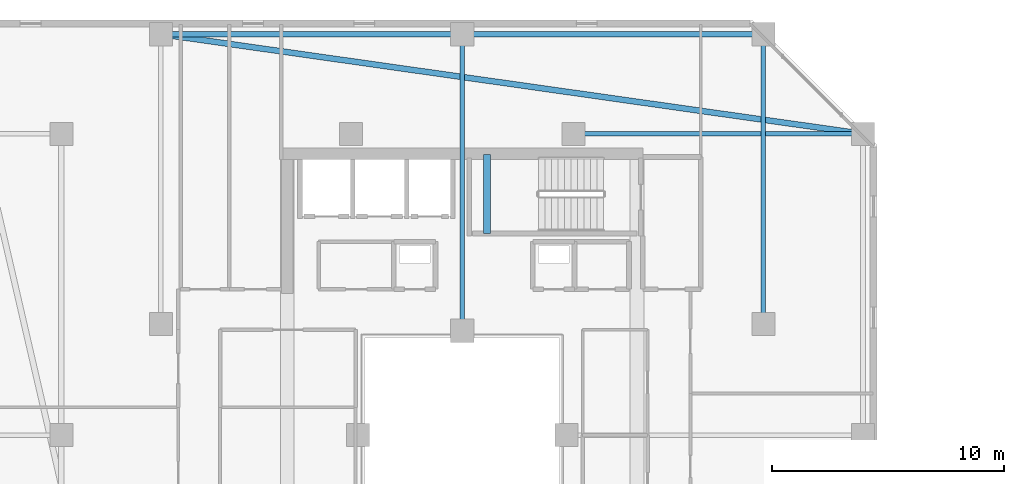
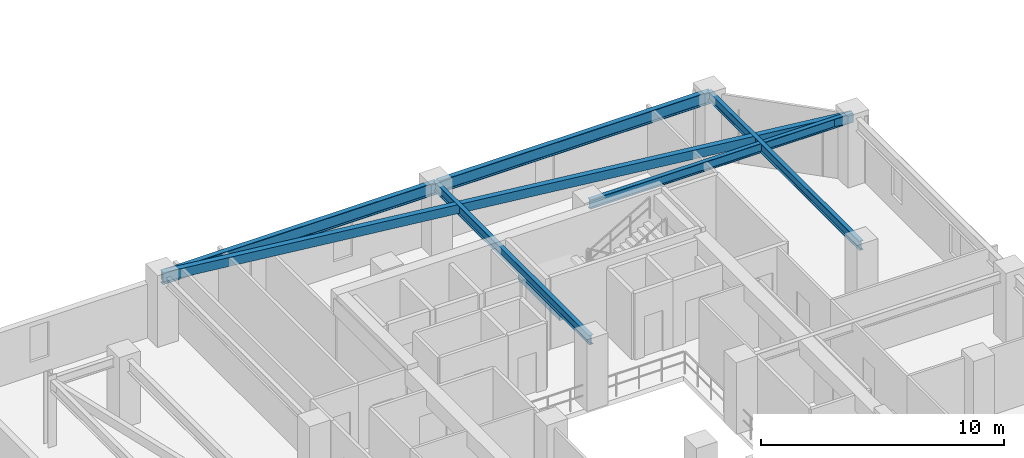
# One storey, part 8 of 32: 7 beams.
"""IFC4 building model written with IfcOpenShell, lengths in metres."""

from ifc_helpers import new_model, si_unit, direction, frame, origin, origin_2d, place, context, subcontext, project, spatial, rectangle, hollow_rectangle, i_section, extrude, material, material_profile, profile_set, type_object, element, save


model = new_model("IFC4")

# Units and contexts
model_context = context("Model", 3, precision=1e-05, world=origin(), true_north=direction((0.0, 1.0)))
body_context = subcontext(model_context, "Body", "Model", "MODEL_VIEW")
ifc_project = project(units=[si_unit("LENGTHUNIT", "METRE"), si_unit("AREAUNIT", "SQUARE_METRE"), si_unit("VOLUMEUNIT", "CUBIC_METRE"), si_unit("PLANEANGLEUNIT", "RADIAN"), si_unit("MASSUNIT", "GRAM", prefix="KILO")], contexts=[model_context])

# Site, building, storey
site_placement = place(None, origin())
site = spatial("IfcSite", under=ifc_project, at=site_placement, CompositionType="ELEMENT")
building_placement = place(site_placement, origin())
building = spatial("IfcBuilding", under=site, at=building_placement, Name="Thornwick Lancets Civic Towers", CompositionType="ELEMENT")
storey_placement = place(building_placement, frame((0.0, 0.0, 240.300048828125)))
storey = spatial("IfcBuildingStorey", under=building, at=storey_placement, Name="L64", CompositionType="ELEMENT", Elevation=240.300048828125)

# Beams
ifc_material_1 = material(Name="Steel S355JR", Category="steel")
ifc_material_profile_1 = material_profile(ifc_material_1, i_section(OverallWidth=0.230224609375, OverallDepth=0.6171875, WebThickness=0.01318359375, FlangeThickness=0.022216796875, FilletRadius=0.0126953125, at=origin_2d()), Name="UKB 610x229x140")
ifc_profile_set_1 = profile_set([ifc_material_profile_1], Name="Steel S355JR")
beam_type_1 = type_object("IfcBeamType", Name="BM_GIRD_610_140", PredefinedType="BEAM", material=ifc_profile_set_1)
beam_1_placement = place(storey_placement, frame((12.5, 44.300048828125, 3.05126953125), z_axis=(1.0, 0.0, 0.0), x_axis=(0.0, 1.0, 0.0)))
element("IfcBeam", 1, at=beam_1_placement, inside=storey, type_object=beam_type_1, Name="BM-SPINE-L64-A-6-7", PredefinedType="BEAM", context=body_context, shape_type="SweptSolid", body=[
    extrude(i_section(OverallWidth=0.230224609375, OverallDepth=0.6171875, WebThickness=0.01318359375, FlangeThickness=0.022216796875, FilletRadius=0.0126953125, at=origin_2d()), origin(), (0.0, 0.0, 1.0), 13.0),
])
beam_2_placement = place(storey_placement, frame((25.580078125, 44.300048828125, 3.05126953125), z_axis=(1.0, 0.0, 0.0), x_axis=(0.0, 1.0, 0.0)))
element("IfcBeam", 2, at=beam_2_placement, inside=storey, type_object=beam_type_1, Name="BM-SPINE-L64-A-7-8", PredefinedType="BEAM", context=body_context, shape_type="SweptSolid", body=[
    extrude(i_section(OverallWidth=0.230224609375, OverallDepth=0.6171875, WebThickness=0.01318359375, FlangeThickness=0.022216796875, FilletRadius=0.0126953125, at=origin_2d()), origin(), (0.0, 0.0, 1.0), 12.919921875),
])
ifc_material_profile_2 = material_profile(ifc_material_1, i_section(OverallWidth=0.19287109375, OverallDepth=0.46728515625, WebThickness=0.011474609375, FlangeThickness=0.01953125, FilletRadius=0.01025390625, at=origin_2d()), Name="UKB 457x191x98")
ifc_profile_set_2 = profile_set([ifc_material_profile_2], Name="Steel S355JR")
beam_type_2 = type_object("IfcBeamType", Name="BM_JOIST_457_98", PredefinedType="JOIST", material=ifc_profile_set_2)
beam_3_placement = place(storey_placement, frame((30.300048828125, 40.0, 3.12646484375), z_axis=(1.0, 0.0, 0.0), x_axis=(0.0, 1.0, 0.0)))
element("IfcBeam", 3, at=beam_3_placement, inside=storey, type_object=beam_type_2, Name="BM-RADIN-L64-A06", PredefinedType="JOIST", context=body_context, shape_type="SweptSolid", body=[
    extrude(i_section(OverallWidth=0.19287109375, OverallDepth=0.46728515625, WebThickness=0.011474609375, FlangeThickness=0.01953125, FilletRadius=0.01025390625, at=origin_2d()), origin(), (0.0, 0.0, 1.0), 12.5),
])
beam_4_placement = place(storey_placement, frame((25.5, 31.5, 3.12646484375), z_axis=(0.0, 1.0, 0.0), x_axis=(-1.0, 0.0, 0.0)))
element("IfcBeam", 4, at=beam_4_placement, inside=storey, type_object=beam_type_2, Name="BM-RADIN-L64-A08", PredefinedType="JOIST", context=body_context, shape_type="SweptSolid", body=[
    extrude(i_section(OverallWidth=0.19287109375, OverallDepth=0.46728515625, WebThickness=0.011474609375, FlangeThickness=0.01953125, FilletRadius=0.01025390625, at=origin_2d()), origin(), (0.0, 0.0, 1.0), 12.800048828125),
])
beam_5_placement = place(storey_placement, frame((38.5, 31.800048828125, 3.12646484375), z_axis=(0.0, 1.0, 0.0), x_axis=(-1.0, 0.0, 0.0)))
element("IfcBeam", 5, at=beam_5_placement, inside=storey, type_object=beam_type_2, Name="BM-RADIN-L64-A09", PredefinedType="JOIST", context=body_context, shape_type="SweptSolid", body=[
    extrude(i_section(OverallWidth=0.19287109375, OverallDepth=0.46728515625, WebThickness=0.011474609375, FlangeThickness=0.01953125, FilletRadius=0.01025390625, at=origin_2d()), origin(), (0.0, 0.0, 1.0), 12.5),
])
ifc_material_profile_3 = material_profile(ifc_material_1, hollow_rectangle(XDim=0.25, YDim=0.449951171875, WallThickness=0.01611328125, at=origin_2d()), Name="RHS 450x250x16")
ifc_profile_set_3 = profile_set([ifc_material_profile_3], Name="Steel S355JR")
beam_type_3 = type_object("IfcBeamType", Name="BM_RING_RHS450", PredefinedType="BEAM", material=ifc_profile_set_3)
beam_6_placement = place(storey_placement, frame((42.800048828125, 40.0, 3.135009765625), z_axis=(-0.990079584012, 0.140507712682, 0.0), x_axis=(-0.140507712682, -0.990079584012, 0.0)))
element("IfcBeam", 6, at=beam_6_placement, inside=storey, type_object=beam_type_3, Name="BM-CHAMF-L64-A-C1", PredefinedType="BEAM", context=body_context, shape_type="SweptSolid", body=[
    extrude(hollow_rectangle(XDim=0.25, YDim=0.449951171875, WallThickness=0.01611328125, at=origin_2d()), origin(), (0.0, 0.0, 1.0), 30.603759765625),
])
ifc_material_2 = material(Name="Concrete C40/50", Category="concrete")
ifc_material_profile_4 = material_profile(ifc_material_2, rectangle(XDim=0.300048828125, YDim=0.35009765625, at=origin_2d()), Name="RC 300x350")
ifc_profile_set_4 = profile_set([ifc_material_profile_4], Name="Concrete C40/50")
beam_type_4 = type_object("IfcBeamType", Name="BM_STAIR_LDG", PredefinedType="BEAM", material=ifc_profile_set_4)
beam_7_placement = place(storey_placement, frame((26.56494140625, 39.10009765625, 1.3779296875), z_axis=(0.0, -1.0, 0.0), x_axis=(1.0, 0.0, 0.0)))
element("IfcBeam", 7, at=beam_7_placement, inside=storey, type_object=beam_type_4, Name="L64 ST-A2 Landing Support Beam 1", PredefinedType="BEAM", context=body_context, shape_type="SweptSolid", body=[
    extrude(rectangle(XDim=0.300048828125, YDim=0.35009765625, at=origin_2d()), origin(), (0.0, 0.0, 1.0), 3.400146484375),
])

save(model, "model.ifc")
